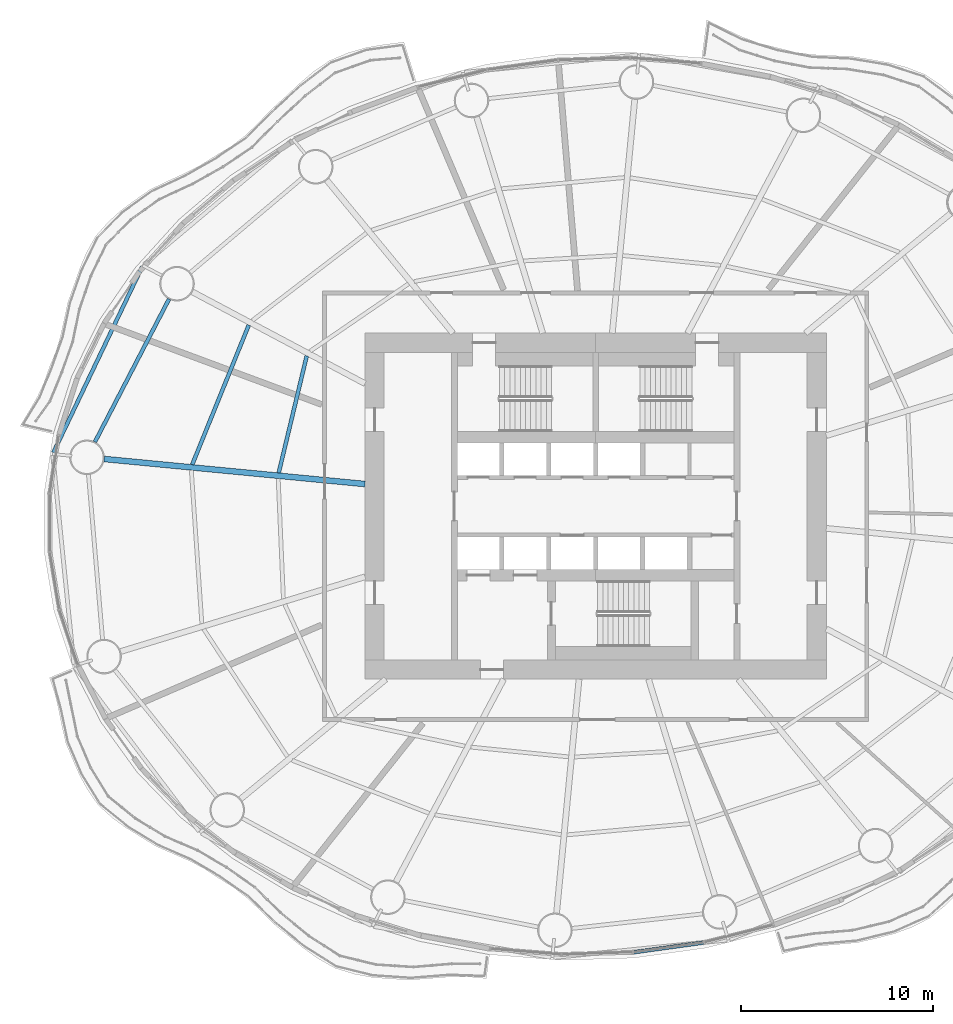
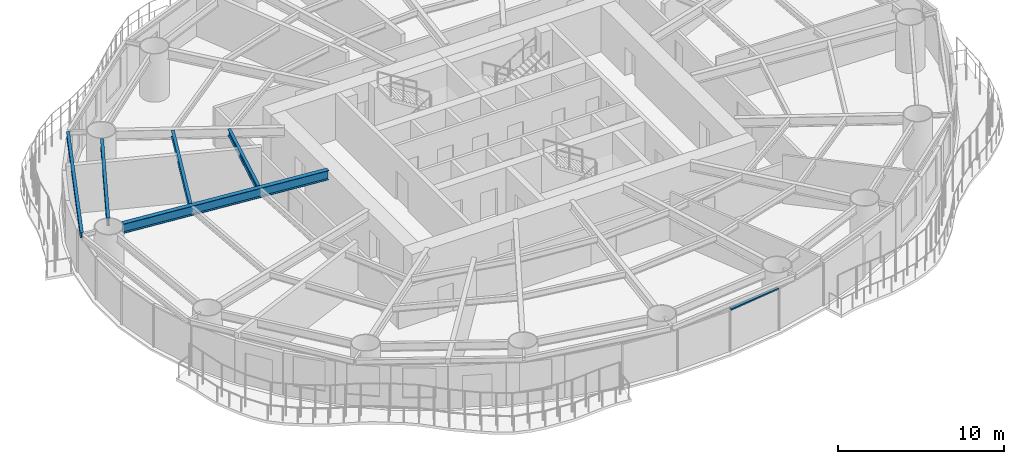
# One storey, part 3 of 17: 5 beams, 1 member, 1 element without a shape of its own.
"""IFC4 building model written with IfcOpenShell, lengths in metres."""

from ifc_helpers import new_model, si_unit, direction, frame, origin, origin_2d, place, context, subcontext, project, spatial, rectangle, i_section, extrude, material, material_profile, profile_set, type_object, element, aggregate, save


model = new_model("IFC4")

# Units and contexts
model_context = context("Model", 3, precision=1e-05, world=origin(), true_north=direction((0.0, 1.0)))
body_context = subcontext(model_context, "Body", "Model", "MODEL_VIEW")
ifc_project = project(units=[si_unit("LENGTHUNIT", "METRE"), si_unit("AREAUNIT", "SQUARE_METRE"), si_unit("VOLUMEUNIT", "CUBIC_METRE"), si_unit("PLANEANGLEUNIT", "RADIAN"), si_unit("MASSUNIT", "GRAM", prefix="KILO")], contexts=[model_context])

# Site, building, storey
site_placement = place(None, origin())
site = spatial("IfcSite", under=ifc_project, at=site_placement, CompositionType="ELEMENT")
building_placement = place(site_placement, origin())
building = spatial("IfcBuilding", under=site, at=building_placement, Name="Vermilion Reach Broadcast Tower", CompositionType="ELEMENT")
storey_placement = place(building_placement, frame((0.0, 0.0, 54.5)))
storey = spatial("IfcBuildingStorey", under=building, at=storey_placement, Name="L10", CompositionType="ELEMENT", Elevation=54.5)

# Beams
ifc_material_1 = material(Name="Steel S355J2", Category="steel")
ifc_material_profile_1 = material_profile(ifc_material_1, i_section(OverallWidth=0.199951171875, OverallDepth=0.39990234375, WebThickness=0.008056640625, FlangeThickness=0.012939453125, at=origin_2d()), Name="S355J2 HN 400x200x8x13")
ifc_profile_set_1 = profile_set([ifc_material_profile_1], Name="Steel S355J2")
beam_type_1 = type_object("IfcBeamType", Name="EB1 HN 400x200x8x13", PredefinedType="BEAM", material=ifc_profile_set_1)
beam_1_placement = place(storey_placement, frame((-29.59375, 12.454833984375, 3.35009765625), z_axis=(-0.431220871695, -0.902246396399, 0.0), x_axis=(0.902246396399, -0.431220871695, 0.0)))
element("IfcBeam", 1, at=beam_1_placement, inside=storey, type_object=beam_type_1, Name="Edge beam EB1-07", PredefinedType="BEAM", context=body_context, shape_type="SweptSolid", body=[
    extrude(i_section(OverallWidth=0.199951171875, OverallDepth=0.39990234375, WebThickness=0.008056640625, FlangeThickness=0.012939453125, at=origin_2d()), origin(), (0.0, 0.0, 1.0), 10.715087890625),
])
ifc_material_2 = material(Name="Steel S355J2", Category="steel")
ifc_material_profile_2 = material_profile(ifc_material_2, i_section(OverallWidth=0.300048828125, OverallDepth=0.699951171875, WebThickness=0.012939453125, FlangeThickness=0.02392578125, at=origin_2d()), Name="S355J2 HN 700x300x13x24")
ifc_profile_set_2 = profile_set([ifc_material_profile_2], Name="Steel S355J2")
beam_type_2 = type_object("IfcBeamType", Name="G1 HN 700x300x13x24", PredefinedType="BEAM", material=ifc_profile_set_2)
beam_2_placement = place(storey_placement, frame((-18.0, 1.1533203125, 3.199951171875), z_axis=(-0.995412178872, 0.095679643363, 0.0), x_axis=(-0.095679643363, -0.995412178872, 0.0)))
element("IfcBeam", 2, at=beam_2_placement, inside=storey, type_object=beam_type_2, Name="Girder G1-08", PredefinedType="BEAM", context=body_context, shape_type="SweptSolid", body=[
    extrude(i_section(OverallWidth=0.300048828125, OverallDepth=0.699951171875, WebThickness=0.012939453125, FlangeThickness=0.02392578125, at=origin_2d()), origin(), (0.0, 0.0, 1.0), 13.630859375),
])
ifc_material_3 = material(Name="Steel S355J2", Category="steel")
ifc_material_profile_3 = material_profile(ifc_material_3, i_section(OverallWidth=0.199951171875, OverallDepth=0.60009765625, WebThickness=0.010986328125, FlangeThickness=0.01708984375, at=origin_2d()), Name="S355J2 HN 600x200x11x17")
ifc_profile_set_3 = profile_set([ifc_material_profile_3], Name="Steel S355J2")
beam_type_3 = type_object("IfcBeamType", Name="RB1 HN 600x200x11x17", PredefinedType="BEAM", material=ifc_profile_set_3)
beam_3_placement = place(storey_placement, frame((-28.194091796875, 10.776611328125, 3.25), z_axis=(-0.460411617218, -0.887705549566, 0.0), x_axis=(0.887705549566, -0.460411617218, 0.0)))
element("IfcBeam", 3, at=beam_3_placement, inside=storey, type_object=beam_type_3, Name="Ring beam RB1-07", PredefinedType="BEAM", context=body_context, shape_type="SweptSolid", body=[
    extrude(i_section(OverallWidth=0.199951171875, OverallDepth=0.60009765625, WebThickness=0.010986328125, FlangeThickness=0.01708984375, at=origin_2d()), origin(), (0.0, 0.0, 1.0), 8.37451171875),
])
ifc_material_4 = material(Name="Steel S355J2", Category="steel")
ifc_material_profile_4 = material_profile(ifc_material_4, i_section(OverallWidth=0.199951171875, OverallDepth=0.449951171875, WebThickness=0.009033203125, FlangeThickness=0.013916015625, at=origin_2d()), Name="S355J2 HN 450x200x9x14")
ifc_profile_set_4 = profile_set([ifc_material_profile_4], Name="Steel S355J2")
beam_type_4 = type_object("IfcBeamType", Name="SB1 HN 450x200x9x14", PredefinedType="BEAM", material=ifc_profile_set_4)
beam_4_placement = place(storey_placement, frame((-21.031005859375, 7.81884765625, 3.324951171875), z_axis=(-0.232844467589, -0.972513986487, 0.0), x_axis=(0.972513986487, -0.232844467589, 0.0)))
element("IfcBeam", 4, at=beam_4_placement, inside=storey, type_object=beam_type_4, Name="Secondary beam SB1-07-1", PredefinedType="BEAM", context=body_context, shape_type="SweptSolid", body=[
    extrude(i_section(OverallWidth=0.199951171875, OverallDepth=0.449951171875, WebThickness=0.009033203125, FlangeThickness=0.013916015625, at=origin_2d()), origin(), (0.0, 0.0, 1.0), 6.25537109375),
])
beam_5_placement = place(storey_placement, frame((-24.046630859375, 9.421630859375, 3.324951171875), z_axis=(-0.375640669938, -0.926765389453, 0.0), x_axis=(0.926765389453, -0.375640669938, 0.0)))
element("IfcBeam", 5, at=beam_5_placement, inside=storey, type_object=beam_type_4, Name="Secondary beam SB1-07-2", PredefinedType="BEAM", context=body_context, shape_type="SweptSolid", body=[
    extrude(i_section(OverallWidth=0.199951171875, OverallDepth=0.449951171875, WebThickness=0.009033203125, FlangeThickness=0.013916015625, at=origin_2d()), origin(), (0.0, 0.0, 1.0), 7.8271484375),
])

# Curtain wall, member
ifc_material_5 = material(Name="Low-e laminated clear glass in aluminium frame", Category="aluminium")
curtain_wall_type = type_object("IfcCurtainWallType", Name="Slot curtain wall", PredefinedType="NOTDEFINED", material=ifc_material_5)
curtain_wall_placement = place(storey_placement, origin())
curtain_wall = element("IfcCurtainWall", 6, at=curtain_wall_placement, inside=storey, type_object=curtain_wall_type, Name="Slot curtain wall L10 36", PredefinedType="NOTDEFINED")
ifc_material_6 = material(Name="Anodised aluminium", Category="aluminium")
ifc_material_profile_5 = material_profile(ifc_material_6, rectangle(XDim=0.199951171875, YDim=0.10009765625, at=origin_2d()), Name="Slot transom 200 x 100")
ifc_profile_set_5 = profile_set([ifc_material_profile_5], Name="Anodised aluminium")
member_type = type_object("IfcMemberType", Name="Slot transom 200 x 100", PredefinedType="USERDEFINED", material=ifc_profile_set_5)
member_placement = place(storey_placement, frame((-4.01171875, -23.200927734375, 3.10009765625), z_axis=(0.990576127079, 0.136963266828, 0.0), x_axis=(-0.136963266828, 0.990576127079, 0.0)))
member = element("IfcMember", 7, at=member_placement, type_object=member_type, Name="Slot transom L10 36.1", ObjectType="TRANSOM", PredefinedType="USERDEFINED", context=body_context, shape_type="SweptSolid", body=[
    extrude(rectangle(XDim=0.199951171875, YDim=0.10009765625, at=origin_2d()), origin(), (0.0, 0.0, 1.0), 3.650634765625),
])
aggregate(curtain_wall, [member])

save(model, "model.ifc")
